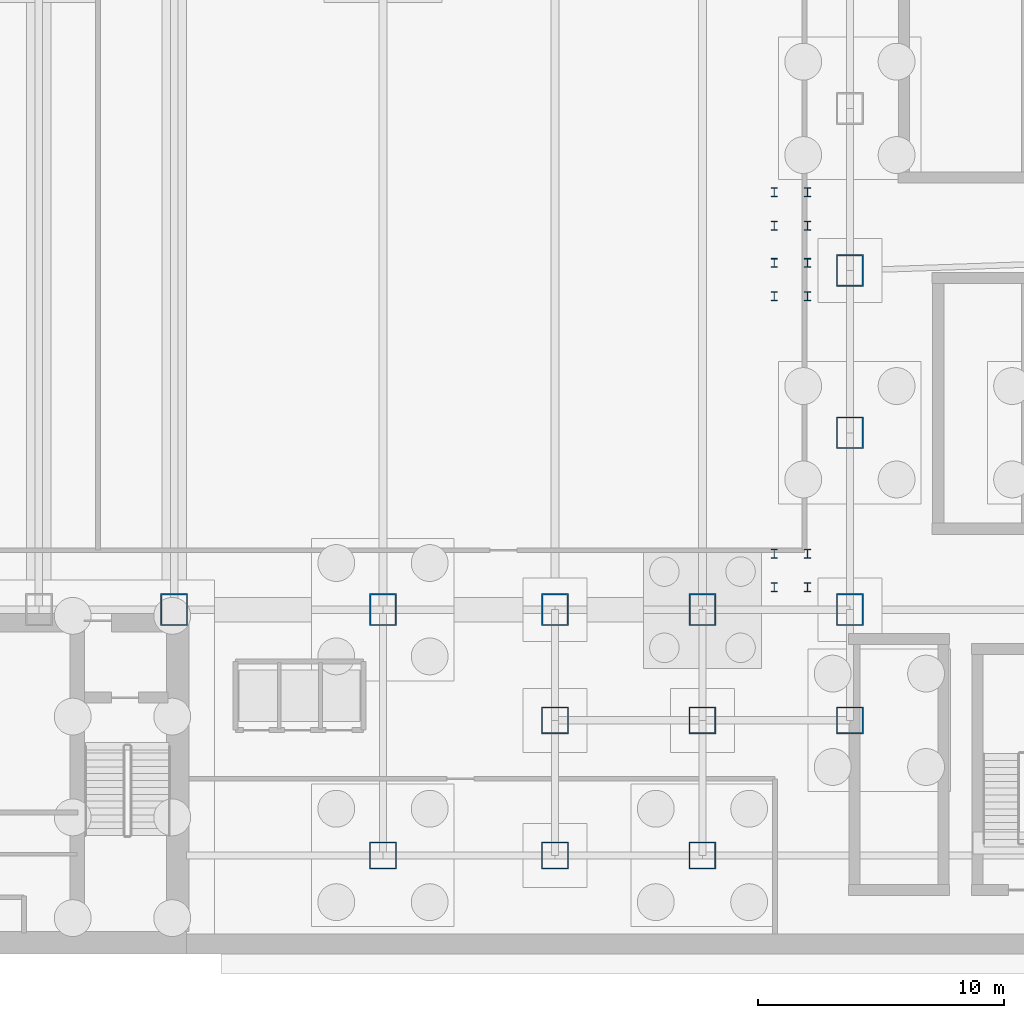
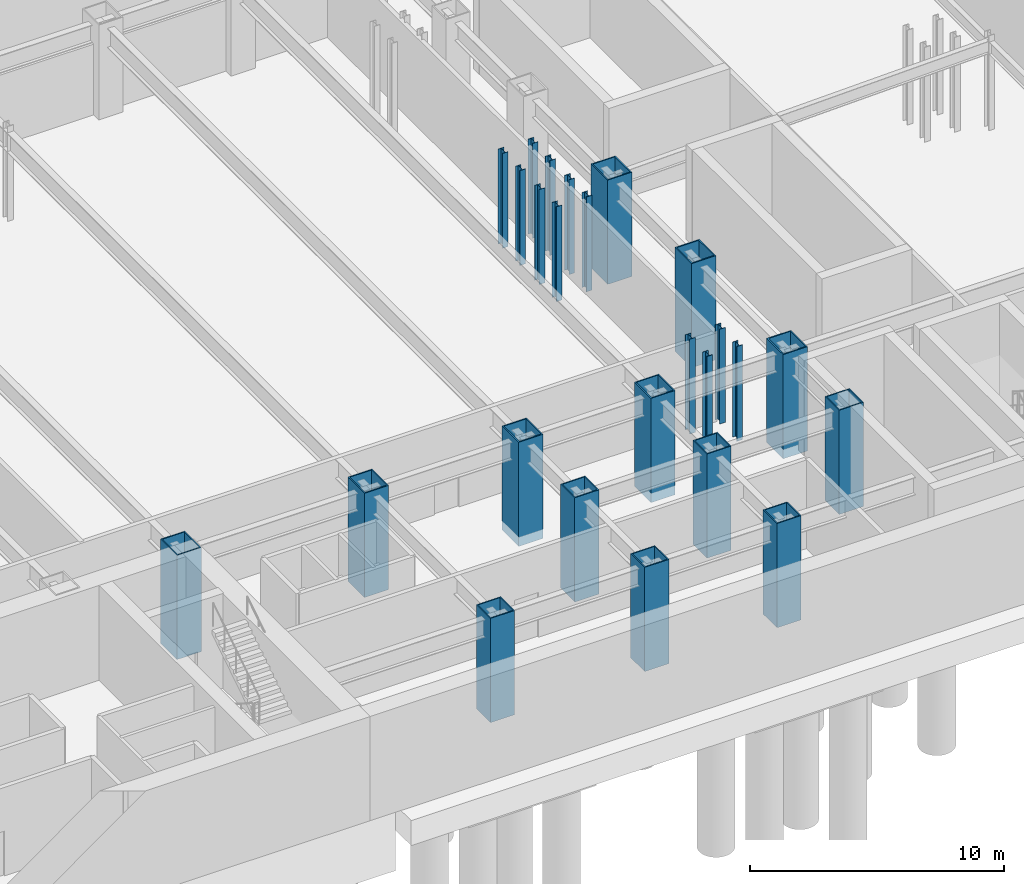
# One storey, part 4 of 17: 25 columns.
"""IFC4 building model written with IfcOpenShell, lengths in metres."""

from ifc_helpers import new_model, si_unit, derived_unit, direction, frame, origin, origin_2d, place, context, subcontext, project, spatial, hollow_rectangle, i_section, extrude, source, transform, mapped, material, material_profile, profile_set, type_object, element, save


model = new_model("IFC4")

# Units and contexts
model_context = context("Model", 3, precision=1e-05, world=origin(), true_north=direction((0.0, 1.0)))
body_context = subcontext(model_context, "Body", "Model", "MODEL_VIEW")
ifc_project = project(units=[si_unit("LENGTHUNIT", "METRE"), si_unit("AREAUNIT", "SQUARE_METRE"), si_unit("VOLUMEUNIT", "CUBIC_METRE"), si_unit("PLANEANGLEUNIT", "RADIAN"), si_unit("MASSUNIT", "GRAM", prefix="KILO"), derived_unit("THERMALTRANSMITTANCEUNIT", [(si_unit("POWERUNIT", "WATT"), 1), (si_unit("LENGTHUNIT", "METRE"), -2), (si_unit("THERMODYNAMICTEMPERATUREUNIT", "KELVIN"), -1)])], contexts=[model_context])

# Site, building, storey
site_placement = place(None, origin())
site = spatial("IfcSite", under=ifc_project, at=site_placement, CompositionType="ELEMENT")
building_placement = place(site_placement, origin())
building = spatial("IfcBuilding", under=site, at=building_placement, Name="Skarnbrae Concourse Arena and Tower", CompositionType="ELEMENT")
storey_placement = place(building_placement, frame((0.0, 0.0, -10.0)))
storey = spatial("IfcBuildingStorey", under=building, at=storey_placement, Name="B02", CompositionType="ELEMENT", Elevation=-10.0)

# Columns
ifc_material = material(Name="Steel CSA G40.21 350W", Category="steel")
ifc_material_profile_1 = material_profile(ifc_material, hollow_rectangle(XDim=1.10009765625, YDim=1.10009765625, WallThickness=0.050048828125, at=origin_2d()), Name="BOX1100X1100X50")
ifc_profile_set_1 = profile_set([ifc_material_profile_1], Name="Steel CSA G40.21 350W")
column_type_1 = type_object("IfcColumnType", Name="COL-MEGA-BOX1100", PredefinedType="PILASTER", material=ifc_profile_set_1)
shared_shape_1 = source(origin(), body_context, "Body", "SweptSolid", [
    extrude(hollow_rectangle(XDim=1.10009765625, YDim=1.10009765625, WallThickness=0.050048828125, at=origin_2d()), origin(), (0.0, 0.0, 1.0), 5.0),
])
for number, where, z_axis, x_axis, name in (
    (1, (61.0, 9.5, 0.0), (0.0, 0.0, 1.0), (1.0, 0.0, 0.0), "B02 Podium mega-column MC-E0"),
    (2, (49.0, 9.5, 0.0), (0.0, 0.0, 1.0), (1.0, 0.0, 0.0), "B02 Podium mega-column PC-SE8"),
    (3, (55.0, 9.5, 0.0), (0.0, 0.0, 1.0), (1.0, 0.0, 0.0), "B02 Podium mega-column PC-SE9"),
    (4, (42.0, 4.0, 0.0), (0.0, 0.0, 1.0), (1.0, 0.0, 0.0), "B02 Podium mega-column PC-7B"),
    (5, (49.0, 4.0, 0.0), (0.0, 0.0, 1.0), (1.0, 0.0, 0.0), "B02 Podium mega-column PC-8B"),
    (6, (55.0, 4.0, 0.0), (0.0, 0.0, 1.0), (1.0, 0.0, 0.0), "B02 Podium mega-column PC-9B"),
):
    element("IfcColumn", number, at=place(storey_placement, frame(where, z_axis=z_axis, x_axis=x_axis)), inside=storey, type_object=column_type_1, Name=name, PredefinedType="PILASTER", context=body_context, shape_type="MappedRepresentation", body=[
        mapped(shared_shape_1, transform((0.0, 0.0, 0.0))),
    ])
ifc_material_profile_2 = material_profile(ifc_material, hollow_rectangle(XDim=1.10009765625, YDim=1.300048828125, WallThickness=0.054931640625, at=origin_2d()), Name="BOX1300X1100X55")
ifc_profile_set_2 = profile_set([ifc_material_profile_2], Name="Steel CSA G40.21 350W")
column_type_2 = type_object("IfcColumnType", Name="COL-MEGA-BOX1300", PredefinedType="PILASTER", material=ifc_profile_set_2)
shared_shape_2 = source(origin(), body_context, "Body", "SweptSolid", [
    extrude(hollow_rectangle(XDim=1.10009765625, YDim=1.300048828125, WallThickness=0.054931640625, at=origin_2d()), origin(), (0.0, 0.0, 1.0), 5.0),
])
for number, where, z_axis, x_axis, name in (
    (7, (33.5, 14.0, 0.0), (0.0, 0.0, 1.0), (1.0, 0.0, 0.0), "B02 Podium mega-column MC-S6"),
    (8, (42.0, 14.0, 0.0), (0.0, 0.0, 1.0), (1.0, 0.0, 0.0), "B02 Podium mega-column MC-S7"),
    (9, (49.0, 14.0, 0.0), (0.0, 0.0, 1.0), (1.0, 0.0, 0.0), "B02 Podium mega-column MC-S8"),
    (10, (55.0, 14.0, 0.0), (0.0, 0.0, 1.0), (1.0, 0.0, 0.0), "B02 Podium mega-column MC-S9"),
    (11, (61.0, 14.0, 0.0), (0.0, 0.0, 1.0), (1.0, 0.0, 0.0), "B02 Podium mega-column MC-S10"),
    (12, (61.0, 21.199951171875, 0.0), (0.0, 0.0, 1.0), (1.0, 0.0, 0.0), "B02 Podium mega-column MC-E1"),
    (13, (61.0, 27.800048828125, 0.0), (0.0, 0.0, 1.0), (1.0, 0.0, 0.0), "B02 Podium mega-column MC-E2"),
):
    element("IfcColumn", number, at=place(storey_placement, frame(where, z_axis=z_axis, x_axis=x_axis)), inside=storey, type_object=column_type_2, Name=name, PredefinedType="PILASTER", context=body_context, shape_type="MappedRepresentation", body=[
        mapped(shared_shape_2, transform((0.0, 0.0, 0.0))),
    ])
ifc_material_profile_3 = material_profile(ifc_material, i_section(OverallWidth=0.257080078125, OverallDepth=0.363037109375, WebThickness=0.012939453125, FlangeThickness=0.021728515625, at=origin_2d()), Name="W360X122")
ifc_profile_set_3 = profile_set([ifc_material_profile_3], Name="Steel CSA G40.21 350W")
column_type_3 = type_object("IfcColumnType", Name="COL-POD-W360X122", PredefinedType="COLUMN", material=ifc_profile_set_3)
shared_shape_3 = source(origin(), body_context, "Body", "SweptSolid", [
    extrude(i_section(OverallWidth=0.257080078125, OverallDepth=0.363037109375, WebThickness=0.012939453125, FlangeThickness=0.021728515625, at=origin_2d()), origin(), (0.0, 0.0, 1.0), 4.550048828125),
])
for number, where, z_axis, x_axis, name in (
    (14, (57.919921875, 14.919921875, 0.449951171875), (0.0, 0.0, 1.0), (1.0, 0.0, 0.0), "B02 Concourse stair ST-CONC-3-L00 BOT post 11"),
    (15, (57.919921875, 16.280029296875, 0.449951171875), (0.0, 0.0, 1.0), (1.0, 0.0, 0.0), "B02 Concourse stair ST-CONC-3-L00 BOT post 12"),
    (16, (59.280029296875, 14.919921875, 0.449951171875), (0.0, 0.0, 1.0), (1.0, 0.0, 0.0), "B02 Concourse stair ST-CONC-3-L00 BOT post 21"),
    (17, (59.280029296875, 16.280029296875, 0.449951171875), (0.0, 0.0, 1.0), (1.0, 0.0, 0.0), "B02 Concourse stair ST-CONC-3-L00 BOT post 22"),
    (18, (57.919921875, 26.75, 0.449951171875), (0.0, 0.0, 1.0), (1.0, 0.0, 0.0), "B02 Concourse stair ST-CONC-3-L00 TOP post 11"),
    (19, (57.919921875, 28.110107421875, 0.449951171875), (0.0, 0.0, 1.0), (1.0, 0.0, 0.0), "B02 Concourse stair ST-CONC-3-L00 TOP post 12"),
    (20, (59.280029296875, 26.75, 0.449951171875), (0.0, 0.0, 1.0), (1.0, 0.0, 0.0), "B02 Concourse stair ST-CONC-3-L00 TOP post 21"),
    (21, (59.280029296875, 28.110107421875, 0.449951171875), (0.0, 0.0, 1.0), (1.0, 0.0, 0.0), "B02 Concourse stair ST-CONC-3-L00 TOP post 22"),
    (22, (57.919921875, 29.6201171875, 0.449951171875), (0.0, 0.0, 1.0), (1.0, 0.0, 0.0), "B02 Concourse stair ST-CONC-3-L01 BOT post 11"),
    (23, (57.919921875, 30.97998046875, 0.449951171875), (0.0, 0.0, 1.0), (1.0, 0.0, 0.0), "B02 Concourse stair ST-CONC-3-L01 BOT post 12"),
    (24, (59.280029296875, 29.6201171875, 0.449951171875), (0.0, 0.0, 1.0), (1.0, 0.0, 0.0), "B02 Concourse stair ST-CONC-3-L01 BOT post 21"),
    (25, (59.280029296875, 30.97998046875, 0.449951171875), (0.0, 0.0, 1.0), (1.0, 0.0, 0.0), "B02 Concourse stair ST-CONC-3-L01 BOT post 22"),
):
    element("IfcColumn", number, at=place(storey_placement, frame(where, z_axis=z_axis, x_axis=x_axis)), inside=storey, type_object=column_type_3, Name=name, PredefinedType="COLUMN", context=body_context, shape_type="MappedRepresentation", body=[
        mapped(shared_shape_3, transform((0.0, 0.0, 0.0))),
    ])

save(model, "model.ifc")
